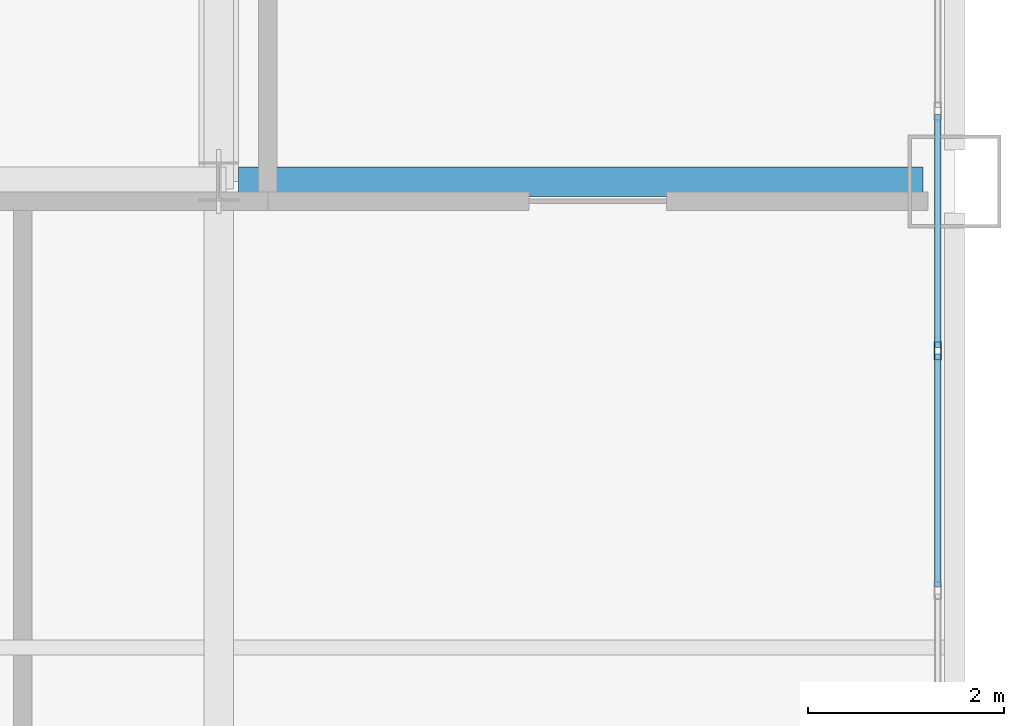
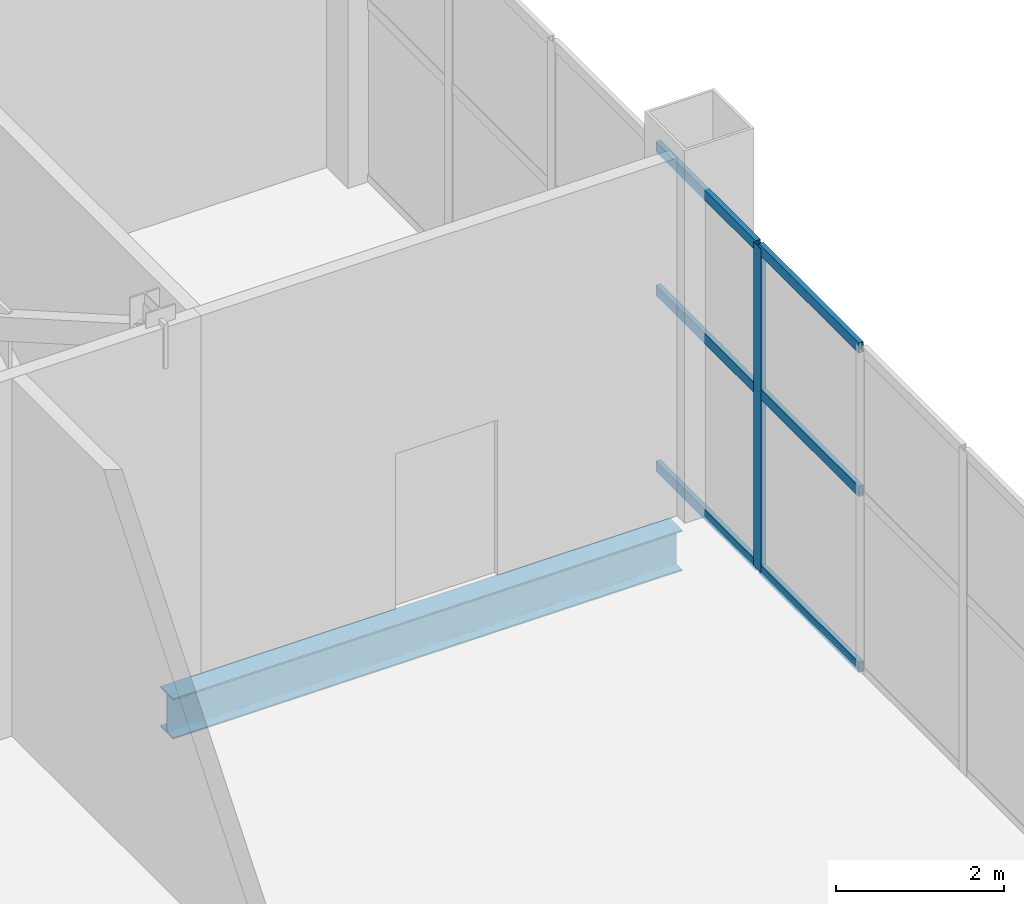
# One storey, part 12 of 23: 7 members, 1 beam, 1 element without a shape of its own.
"""IFC4 building model written with IfcOpenShell, lengths in metres."""

from ifc_helpers import new_model, si_unit, direction, frame, origin, origin_2d, place, context, subcontext, project, spatial, hollow_rectangle, i_section, extrude, material, layer, layer_set, material_profile, profile_set, type_object, element, aggregate, save


model = new_model("IFC4")

# Units and contexts
model_context = context("Model", 3, precision=1e-05, world=origin(), true_north=direction((0.0, 1.0)))
body_context = subcontext(model_context, "Body", "Model", "MODEL_VIEW")
ifc_project = project(units=[si_unit("LENGTHUNIT", "METRE"), si_unit("AREAUNIT", "SQUARE_METRE"), si_unit("VOLUMEUNIT", "CUBIC_METRE"), si_unit("PLANEANGLEUNIT", "RADIAN"), si_unit("MASSUNIT", "GRAM", prefix="KILO")], contexts=[model_context])

# Site, building, storey
site_placement = place(None, origin())
site = spatial("IfcSite", under=ifc_project, at=site_placement, CompositionType="ELEMENT")
building_placement = place(site_placement, origin())
building = spatial("IfcBuilding", under=site, at=building_placement, Name="Qianrong Seaharbour Tower", CompositionType="ELEMENT")
storey_placement = place(building_placement, frame((0.0, 0.0, 281.800048828125)))
storey = spatial("IfcBuildingStorey", under=building, at=storey_placement, Name="L68", CompositionType="ELEMENT", Elevation=281.800048828125)

# Beam
ifc_material_1 = material(Name="Structural steel SN490B", Category="steel")
ifc_material_profile_1 = material_profile(ifc_material_1, i_section(OverallWidth=0.300048828125, OverallDepth=0.587890625, WebThickness=0.011962890625, FlangeThickness=0.02001953125, FilletRadius=0.02392578125, at=origin_2d()), Name="H588x300x12x20")
ifc_profile_set_1 = profile_set([ifc_material_profile_1], Name="Structural steel SN490B")
beam_type = type_object("IfcBeamType", Name="BM-G-588", PredefinedType="BEAM", material=ifc_profile_set_1)
beam_placement = place(storey_placement, frame((56.699951171875, 28.0, -0.64404296875), z_axis=(1.0, 0.0, 0.0), x_axis=(0.0, 1.0, 0.0)))
element("IfcBeam", 1, at=beam_placement, inside=storey, type_object=beam_type, Name="L68 Primary Girder GE G8-G9", PredefinedType="BEAM", context=body_context, shape_type="SweptSolid", body=[
    extrude(i_section(OverallWidth=0.300048828125, OverallDepth=0.587890625, WebThickness=0.011962890625, FlangeThickness=0.02001953125, FilletRadius=0.02392578125, at=origin_2d()), origin(), (0.0, 0.0, 1.0), 6.97998046875),
])

# Curtain wall, members
ifc_material_2 = material(Name="Anodised aluminium 6063-T6 and laminated low-e glass", Category="aluminium")
ifc_layer = layer(ifc_material_2, 0.18505859375)
ifc_layer_set = layer_set([ifc_layer], Name="Anodised aluminium 6063-T6 and laminated low-e glass")
curtain_wall_type = type_object("IfcCurtainWallType", Name="CW-SYS-4", PredefinedType="NOTDEFINED", material=ifc_layer_set)
curtain_wall_placement = place(storey_placement, origin())
curtain_wall = element("IfcCurtainWall", 2, at=curtain_wall_placement, inside=storey, type_object=curtain_wall_type, Name="L68 Refuge Acoustic Louvre Curtain Wall EAST_WING", PredefinedType="NOTDEFINED")
ifc_material_3 = material(Name="Extruded aluminium 6063-T6", Category="aluminium")
ifc_material_profile_2 = material_profile(ifc_material_3, hollow_rectangle(XDim=0.070068359375, YDim=0.179931640625, WallThickness=0.00390625, at=origin_2d()), Name="ALU-MUL-180x70x4")
ifc_profile_set_2 = profile_set([ifc_material_profile_2], Name="Extruded aluminium 6063-T6")
member_type_1 = type_object("IfcMemberType", Name="CW-MUL-180", PredefinedType="MULLION", material=ifc_profile_set_2)
member_1_placement = place(storey_placement, frame((63.830078125, 26.27490234375, 0.0), z_axis=(0.0, 0.0, 1.0), x_axis=(1.0, 0.0, 0.0)))
member_1 = element("IfcMember", 3, at=member_1_placement, type_object=member_type_1, Name="CW-4 mullion 5", PredefinedType="MULLION", context=body_context, shape_type="SweptSolid", body=[
    extrude(hollow_rectangle(XDim=0.070068359375, YDim=0.179931640625, WallThickness=0.00390625, at=origin_2d()), origin(), (0.0, 0.0, 1.0), 4.695068359375),
])
ifc_material_profile_3 = material_profile(ifc_material_3, hollow_rectangle(XDim=0.06494140625, YDim=0.14990234375, WallThickness=0.00390625, at=origin_2d()), Name="ALU-TRN-150x65x4")
ifc_profile_set_3 = profile_set([ifc_material_profile_3], Name="Extruded aluminium 6063-T6")
member_type_2 = type_object("IfcMemberType", Name="CW-TRN-150", PredefinedType="USERDEFINED", material=ifc_profile_set_3)
member_2_placement = place(storey_placement, frame((63.830078125, 28.683837890625, 0.032470703125), z_axis=(0.0, -1.0, 0.0), x_axis=(1.0, 0.0, 0.0)))
member_2 = element("IfcMember", 4, at=member_2_placement, type_object=member_type_2, Name="CW-4 transom 4.1", ObjectType="TRANSOM", PredefinedType="USERDEFINED", context=body_context, shape_type="SweptSolid", body=[
    extrude(hollow_rectangle(XDim=0.06494140625, YDim=0.14990234375, WallThickness=0.00390625, at=origin_2d()), origin(), (0.0, 0.0, 1.0), 2.373779296875),
])
member_3_placement = place(storey_placement, frame((63.830078125, 28.683837890625, 2.58203125), z_axis=(0.0, -1.0, 0.0), x_axis=(1.0, 0.0, 0.0)))
member_3 = element("IfcMember", 5, at=member_3_placement, type_object=member_type_2, Name="CW-4 transom 4.2", ObjectType="TRANSOM", PredefinedType="USERDEFINED", context=body_context, shape_type="SweptSolid", body=[
    extrude(hollow_rectangle(XDim=0.06494140625, YDim=0.14990234375, WallThickness=0.00390625, at=origin_2d()), origin(), (0.0, 0.0, 1.0), 2.373779296875),
])
member_4_placement = place(storey_placement, frame((63.830078125, 28.683837890625, 4.662353515625), z_axis=(0.0, -1.0, 0.0), x_axis=(1.0, 0.0, 0.0)))
member_4 = element("IfcMember", 6, at=member_4_placement, type_object=member_type_2, Name="CW-4 transom 4.3", ObjectType="TRANSOM", PredefinedType="USERDEFINED", context=body_context, shape_type="SweptSolid", body=[
    extrude(hollow_rectangle(XDim=0.06494140625, YDim=0.14990234375, WallThickness=0.00390625, at=origin_2d()), origin(), (0.0, 0.0, 1.0), 2.373779296875),
])
member_5_placement = place(storey_placement, frame((63.830078125, 26.239990234375, 0.032470703125), z_axis=(0.0, -1.0, 0.0), x_axis=(1.0, 0.0, 0.0)))
member_5 = element("IfcMember", 7, at=member_5_placement, type_object=member_type_2, Name="CW-4 transom 5.1", ObjectType="TRANSOM", PredefinedType="USERDEFINED", context=body_context, shape_type="SweptSolid", body=[
    extrude(hollow_rectangle(XDim=0.06494140625, YDim=0.14990234375, WallThickness=0.00390625, at=origin_2d()), origin(), (0.0, 0.0, 1.0), 2.373779296875),
])
member_6_placement = place(storey_placement, frame((63.830078125, 26.239990234375, 2.58203125), z_axis=(0.0, -1.0, 0.0), x_axis=(1.0, 0.0, 0.0)))
member_6 = element("IfcMember", 8, at=member_6_placement, type_object=member_type_2, Name="CW-4 transom 5.2", ObjectType="TRANSOM", PredefinedType="USERDEFINED", context=body_context, shape_type="SweptSolid", body=[
    extrude(hollow_rectangle(XDim=0.06494140625, YDim=0.14990234375, WallThickness=0.00390625, at=origin_2d()), origin(), (0.0, 0.0, 1.0), 2.373779296875),
])
member_7_placement = place(storey_placement, frame((63.830078125, 26.239990234375, 4.662353515625), z_axis=(0.0, -1.0, 0.0), x_axis=(1.0, 0.0, 0.0)))
member_7 = element("IfcMember", 9, at=member_7_placement, type_object=member_type_2, Name="CW-4 transom 5.3", ObjectType="TRANSOM", PredefinedType="USERDEFINED", context=body_context, shape_type="SweptSolid", body=[
    extrude(hollow_rectangle(XDim=0.06494140625, YDim=0.14990234375, WallThickness=0.00390625, at=origin_2d()), origin(), (0.0, 0.0, 1.0), 2.373779296875),
])
aggregate(curtain_wall, [member_1, member_2, member_3, member_4, member_5, member_6, member_7])

save(model, "model.ifc")
